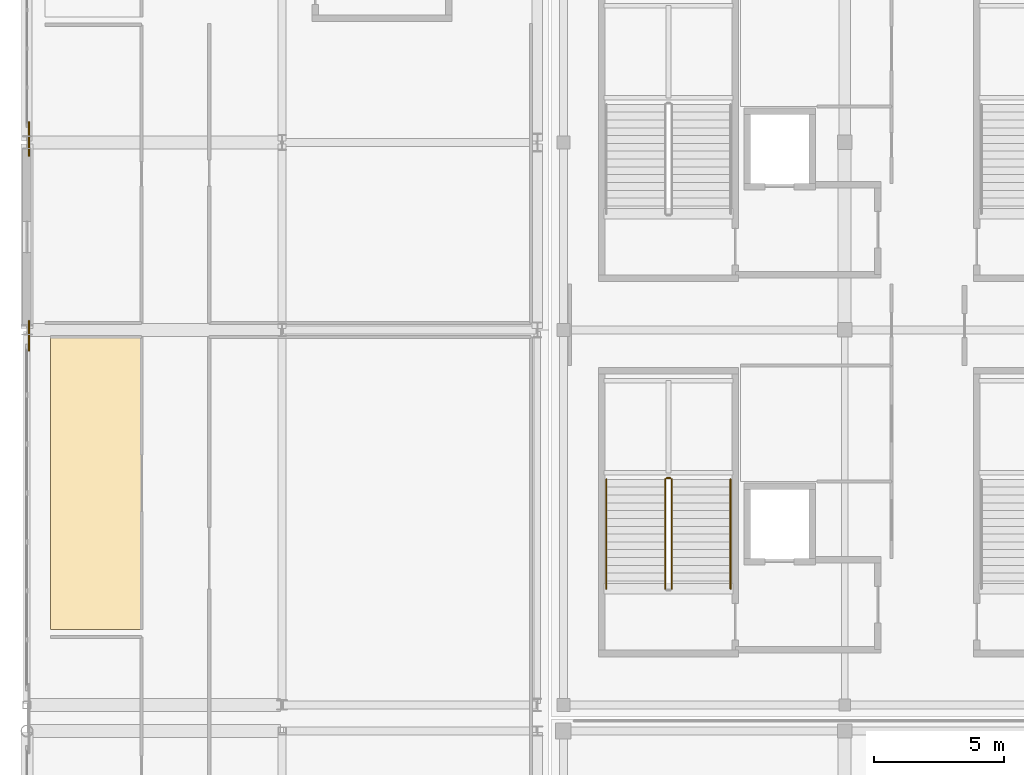
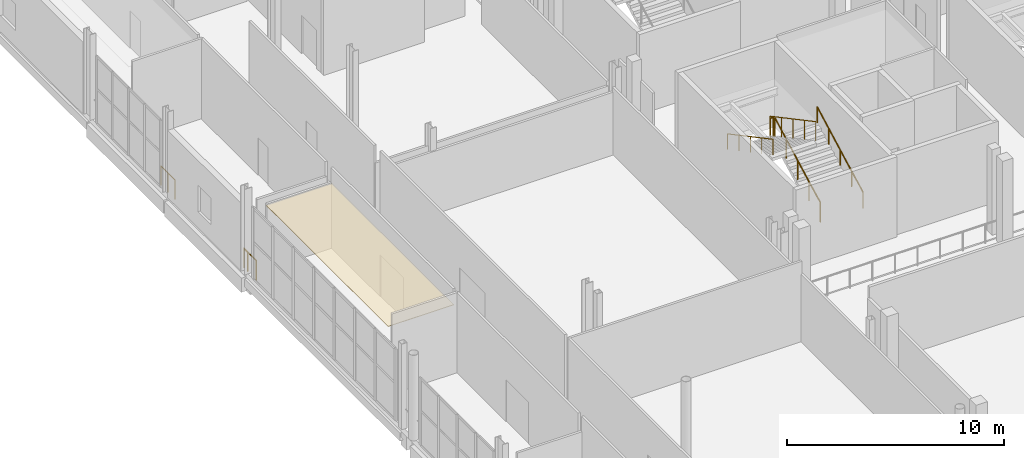
# One storey, part 95 of 129: 8 railings, 1 covering.
"""IFC4 building model written with IfcOpenShell, lengths in metres."""

from ifc_helpers import new_model, si_unit, direction, frame, origin, origin_2d, place, context, subcontext, project, spatial, polyline, circle, outline, extrude, material, layer, layer_set, type_object, element, save


model = new_model("IFC4")

# Units and contexts
model_context = context("Model", 3, precision=1e-05, world=origin(), true_north=direction((0.0, 1.0)))
body_context = subcontext(model_context, "Body", "Model", "MODEL_VIEW")
ifc_project = project(units=[si_unit("LENGTHUNIT", "METRE"), si_unit("AREAUNIT", "SQUARE_METRE"), si_unit("VOLUMEUNIT", "CUBIC_METRE"), si_unit("PLANEANGLEUNIT", "RADIAN"), si_unit("MASSUNIT", "GRAM", prefix="KILO")], contexts=[model_context])

# Site, building, storey
site_placement = place(None, origin())
site = spatial("IfcSite", under=ifc_project, at=site_placement, CompositionType="ELEMENT")
building_placement = place(site_placement, origin())
building = spatial("IfcBuilding", under=site, at=building_placement, Name="Koshinbarg Plaza Stadium", CompositionType="ELEMENT")
storey_placement = place(building_placement, frame((0.0, 0.0, 5.39990234375)))
storey = spatial("IfcBuildingStorey", under=building, at=storey_placement, Name="L01", CompositionType="ELEMENT", Elevation=5.39990234375)

# Covering
ifc_material_1 = material(Name="Perforated gypsum acoustic ceiling board")
ifc_layer = layer(ifc_material_1, 0.030029296875)
ifc_layer_set = layer_set([ifc_layer], Name="Perforated gypsum acoustic ceiling board")
covering_type = type_object("IfcCoveringType", Name="COV-CEIL-01", PredefinedType="CEILING", material=ifc_layer_set)
covering_placement = place(storey_placement, frame((0.0, 0.0, 3.56005859375)))
element("IfcCovering", 1, at=covering_placement, inside=storey, type_object=covering_type, Name="L01 Media Welcome Lounge acoustic ceiling 018", PredefinedType="CEILING", context=body_context, shape_type="SweptSolid", body=[
    extrude(outline(polyline([(4.89990234375, 28.4033203125), (8.39990234375, 28.4033203125), (8.39990234375, 39.6298828125), (4.89990234375, 39.6298828125), (4.89990234375, 28.4033203125)])), origin(), (0.0, 0.0, 1.0), 0.030029296875),
])

# Railings
ifc_material_2 = material(Name="Toughened laminated glass and stainless steel sightline balustrade", Category="steel")
railing_type_1 = type_object("IfcRailingType", Name="RL-BOWL-1100", PredefinedType="BALUSTRADE", material=ifc_material_2)
railing_1_placement = place(storey_placement, frame((4.080078125, 39.10009765625, 0.0)))
element("IfcRailing", 2, at=railing_1_placement, inside=storey, type_object=railing_type_1, Name="L01 deck edge safety balustrade 0105", PredefinedType="BALUSTRADE", context=body_context, shape_type="SweptSolid", body=[
    extrude(circle(Radius=0.02392578125, at=origin_2d()), frame((0.0, 0.0, 1.076171875), z_axis=(0.0, 1.0, 0.0), x_axis=(-1.0, 0.0, 0.0)), (0.0, 0.0, 1.0), 0.7998046875),
    extrude(circle(Radius=0.02099609375, at=origin_2d()), origin(), (0.0, 0.0, 1.0), 1.052001953125),
    extrude(circle(Radius=0.02099609375, at=origin_2d()), frame((0.0, 0.7998046875, 0.0)), (0.0, 0.0, 1.0), 1.052001953125),
])
railing_2_placement = place(storey_placement, frame((4.080078125, 39.89990234375, 0.0)))
element("IfcRailing", 3, at=railing_2_placement, inside=storey, type_object=railing_type_1, Name="L01 deck edge safety balustrade 0108", PredefinedType="BALUSTRADE", context=body_context, shape_type="SweptSolid", body=[
    extrude(circle(Radius=0.02392578125, at=origin_2d()), frame((0.0, 0.0, 1.076171875), z_axis=(0.0, 1.0, 0.0), x_axis=(-1.0, 0.0, 0.0)), (0.0, 0.0, 1.0), 0.349609375),
    extrude(circle(Radius=0.02099609375, at=origin_2d()), origin(), (0.0, 0.0, 1.0), 1.052001953125),
    extrude(circle(Radius=0.02099609375, at=origin_2d()), frame((0.0, 0.349609375, 0.0)), (0.0, 0.0, 1.0), 1.052001953125),
])
railing_3_placement = place(storey_placement, frame((4.080078125, 46.581787109375, 0.0)))
element("IfcRailing", 4, at=railing_3_placement, inside=storey, type_object=railing_type_1, Name="L01 deck edge safety balustrade 0109", PredefinedType="BALUSTRADE", context=body_context, shape_type="SweptSolid", body=[
    extrude(circle(Radius=0.02392578125, at=origin_2d()), frame((0.0, 0.0, 1.076171875), z_axis=(0.0, 1.0, 0.0), x_axis=(-1.0, 0.0, 0.0)), (0.0, 0.0, 1.0), 1.297607421875),
    extrude(circle(Radius=0.02099609375, at=origin_2d()), origin(), (0.0, 0.0, 1.0), 1.052001953125),
    extrude(circle(Radius=0.02099609375, at=origin_2d()), frame((0.0, 0.64892578125, 0.0)), (0.0, 0.0, 1.0), 1.052001953125),
    extrude(circle(Radius=0.02099609375, at=origin_2d()), frame((0.0, 1.297607421875, 0.0)), (0.0, 0.0, 1.0), 1.052001953125),
])
ifc_material_3 = material(Name="Galvanized painted steel guardrail", Category="steel")
railing_type_2 = type_object("IfcRailingType", Name="RL-GUARD-1100", PredefinedType="GUARDRAIL", material=ifc_material_3)
railing_4_placement = place(storey_placement, frame((28.760009765625, 29.9599609375, 0.16015625)))
element("IfcRailing", 5, at=railing_4_placement, inside=storey, type_object=railing_type_2, Name="L01 C01 stair guard 1", PredefinedType="GUARDRAIL", context=body_context, shape_type="SweptSolid", body=[
    extrude(circle(Radius=0.02392578125, at=origin_2d()), frame((0.0, 0.0, 1.076171875), z_axis=(0.0, 0.882351521365, 0.470590897432), x_axis=(-1.0, 0.0, 0.0)), (0.0, 0.0, 1.0), 4.760009765625),
    extrude(circle(Radius=0.02099609375, at=origin_2d()), origin(), (0.0, 0.0, 1.0), 1.052001953125),
    extrude(circle(Radius=0.02099609375, at=origin_2d()), frame((0.0, 1.050048828125, 0.56005859375)), (0.0, 0.0, 1.0), 1.052001953125),
    extrude(circle(Radius=0.02099609375, at=origin_2d()), frame((0.0, 2.10009765625, 1.1201171875)), (0.0, 0.0, 1.0), 1.052001953125),
    extrude(circle(Radius=0.02099609375, at=origin_2d()), frame((0.0, 3.14990234375, 1.679931640625)), (0.0, 0.0, 1.0), 1.052001953125),
    extrude(circle(Radius=0.02099609375, at=origin_2d()), frame((0.0, 4.199951171875, 2.239990234375)), (0.0, 0.0, 1.0), 1.052001953125),
])
railing_5_placement = place(storey_placement, frame((28.7099609375, 34.2099609375, 2.400146484375)))
element("IfcRailing", 6, at=railing_5_placement, inside=storey, type_object=railing_type_2, Name="L01 C01 stair guard 2", PredefinedType="GUARDRAIL", context=body_context, shape_type="SweptSolid", body=[
    extrude(circle(Radius=0.02392578125, at=origin_2d()), frame((0.0, 0.0, 1.076171875), z_axis=(-1.0, 0.0, 0.0), x_axis=(0.0, -1.0, 0.0)), (0.0, 0.0, 1.0), 0.14990234375),
    extrude(circle(Radius=0.02099609375, at=origin_2d()), origin(), (0.0, 0.0, 1.0), 1.052001953125),
    extrude(circle(Radius=0.02099609375, at=origin_2d()), frame((-0.14990234375, 0.0, 0.0)), (0.0, 0.0, 1.0), 1.052001953125),
])
railing_6_placement = place(storey_placement, frame((28.510009765625, 34.159912109375, 2.56005859375)))
element("IfcRailing", 7, at=railing_6_placement, inside=storey, type_object=railing_type_2, Name="L01 C01 stair guard 3", PredefinedType="GUARDRAIL", context=body_context, shape_type="SweptSolid", body=[
    extrude(circle(Radius=0.02392578125, at=origin_2d()), frame((0.0, 0.0, 1.076171875), z_axis=(0.0, -0.882351521365, 0.470590897432), x_axis=(1.0, 0.0, 0.0)), (0.0, 0.0, 1.0), 4.760009765625),
    extrude(circle(Radius=0.02099609375, at=origin_2d()), origin(), (0.0, 0.0, 1.0), 1.052001953125),
    extrude(circle(Radius=0.02099609375, at=origin_2d()), frame((0.0, -1.050048828125, 0.56005859375)), (0.0, 0.0, 1.0), 1.052001953125),
    extrude(circle(Radius=0.02099609375, at=origin_2d()), frame((0.0, -2.10009765625, 1.1201171875)), (0.0, 0.0, 1.0), 1.052001953125),
    extrude(circle(Radius=0.02099609375, at=origin_2d()), frame((0.0, -3.14990234375, 1.679931640625)), (0.0, 0.0, 1.0), 1.052001953125),
    extrude(circle(Radius=0.02099609375, at=origin_2d()), frame((0.0, -4.199951171875, 2.239990234375)), (0.0, 0.0, 1.0), 1.052001953125),
])
ifc_material_4 = material(Name="Brushed stainless steel handrail", Category="steel")
railing_type_3 = type_object("IfcRailingType", Name="RL-HAND-900", PredefinedType="HANDRAIL", material=ifc_material_4)
railing_7_placement = place(storey_placement, frame((31.02001953125, 29.9599609375, 0.16015625)))
element("IfcRailing", 8, at=railing_7_placement, inside=storey, type_object=railing_type_3, Name="L01 C01 stair handrail 1", PredefinedType="HANDRAIL", context=body_context, shape_type="SweptSolid", body=[
    extrude(circle(Radius=0.02392578125, at=origin_2d()), frame((0.0, 0.0, 0.8759765625), z_axis=(0.0, 0.882351521365, 0.470590897432), x_axis=(-1.0, 0.0, 0.0)), (0.0, 0.0, 1.0), 4.760009765625),
    extrude(circle(Radius=0.02099609375, at=origin_2d()), origin(), (0.0, 0.0, 1.0), 0.851806640625),
    extrude(circle(Radius=0.02099609375, at=origin_2d()), frame((0.0, 1.050048828125, 0.56005859375)), (0.0, 0.0, 1.0), 0.851806640625),
    extrude(circle(Radius=0.02099609375, at=origin_2d()), frame((0.0, 2.10009765625, 1.1201171875)), (0.0, 0.0, 1.0), 0.851806640625),
    extrude(circle(Radius=0.02099609375, at=origin_2d()), frame((0.0, 3.14990234375, 1.679931640625)), (0.0, 0.0, 1.0), 0.851806640625),
    extrude(circle(Radius=0.02099609375, at=origin_2d()), frame((0.0, 4.199951171875, 2.239990234375)), (0.0, 0.0, 1.0), 0.851806640625),
])
railing_8_placement = place(storey_placement, frame((26.25, 34.159912109375, 2.56005859375)))
element("IfcRailing", 9, at=railing_8_placement, inside=storey, type_object=railing_type_3, Name="L01 C01 stair handrail 2", PredefinedType="HANDRAIL", context=body_context, shape_type="SweptSolid", body=[
    extrude(circle(Radius=0.02392578125, at=origin_2d()), frame((0.0, 0.0, 0.8759765625), z_axis=(0.0, -0.882351521365, 0.470590897432), x_axis=(1.0, 0.0, 0.0)), (0.0, 0.0, 1.0), 4.760009765625),
    extrude(circle(Radius=0.02099609375, at=origin_2d()), origin(), (0.0, 0.0, 1.0), 0.851806640625),
    extrude(circle(Radius=0.02099609375, at=origin_2d()), frame((0.0, -1.050048828125, 0.56005859375)), (0.0, 0.0, 1.0), 0.851806640625),
    extrude(circle(Radius=0.02099609375, at=origin_2d()), frame((0.0, -2.10009765625, 1.1201171875)), (0.0, 0.0, 1.0), 0.851806640625),
    extrude(circle(Radius=0.02099609375, at=origin_2d()), frame((0.0, -3.14990234375, 1.679931640625)), (0.0, 0.0, 1.0), 0.851806640625),
    extrude(circle(Radius=0.02099609375, at=origin_2d()), frame((0.0, -4.199951171875, 2.239990234375)), (0.0, 0.0, 1.0), 0.851806640625),
])

save(model, "model.ifc")
